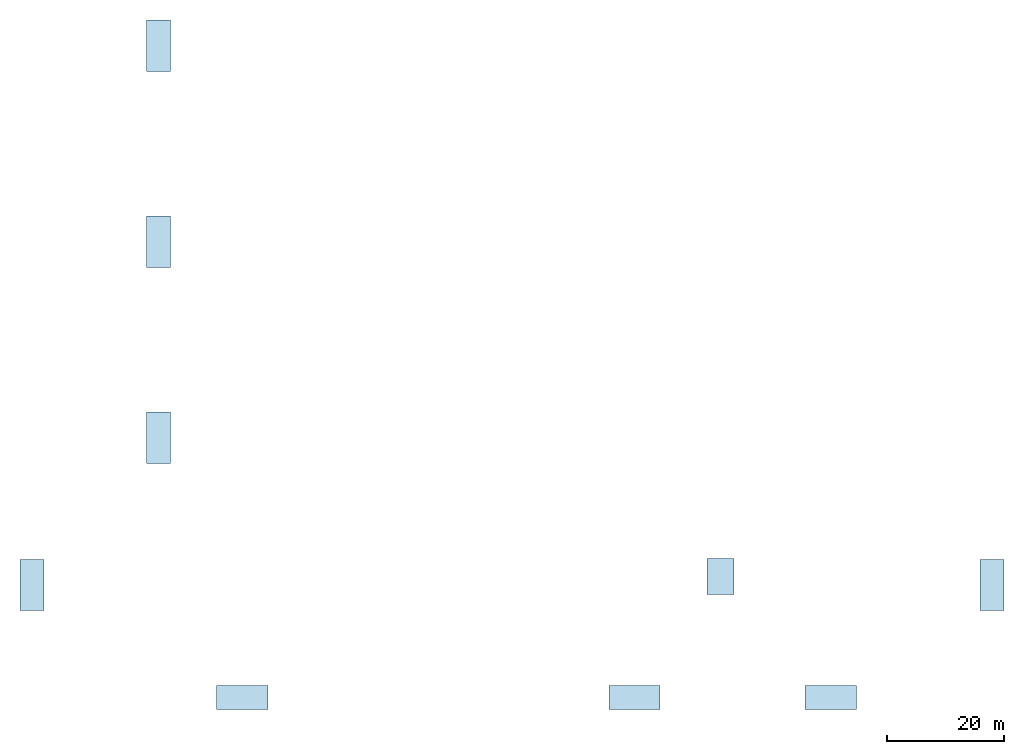
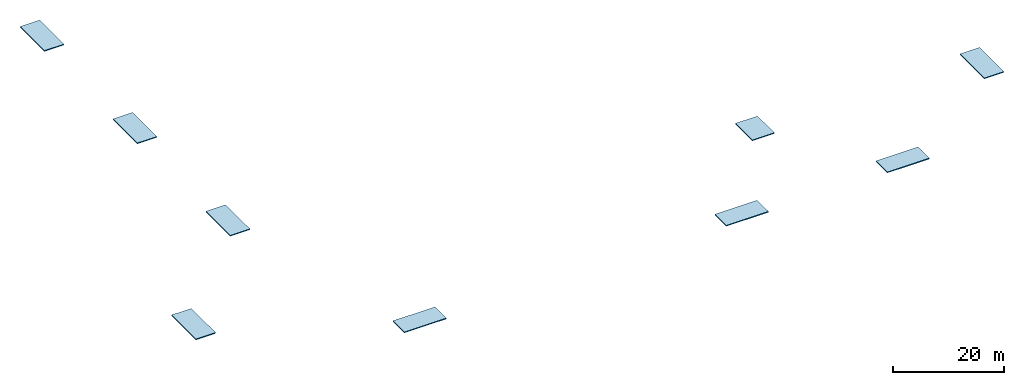
# One storey: 9 slabs.
"""IFC4 building model written with IfcOpenShell, lengths in metres."""

from ifc_helpers import new_model, si_unit, direction, frame, origin, place, context, subcontext, project, spatial, polyline, outline, extrude, material, layer, layer_set, type_object, element, save


model = new_model("IFC4")

# Units and contexts
model_context = context("Model", 3, precision=1e-05, world=origin(), true_north=direction((0.0, 1.0)))
body_context = subcontext(model_context, "Body", "Model", "MODEL_VIEW")
ifc_project = project(units=[si_unit("LENGTHUNIT", "METRE"), si_unit("AREAUNIT", "SQUARE_METRE"), si_unit("VOLUMEUNIT", "CUBIC_METRE"), si_unit("PLANEANGLEUNIT", "RADIAN"), si_unit("MASSUNIT", "GRAM", prefix="KILO")], contexts=[model_context])

# Site, building, storey
site_placement = place(None, origin())
site = spatial("IfcSite", under=ifc_project, at=site_placement, CompositionType="ELEMENT")
building_placement = place(site_placement, origin())
building = spatial("IfcBuilding", under=site, at=building_placement, Name="Yavir Park General Hospital", CompositionType="ELEMENT")
storey_placement = place(building_placement, frame((0.0, 0.0, 32.10009765625)))
storey = spatial("IfcBuildingStorey", under=building, at=storey_placement, Name="ROOF", CompositionType="ELEMENT", Elevation=32.10009765625)

# Slabs
ifc_material = material(Name="Concrete C35/45", Category="concrete")
ifc_layer = layer(ifc_material, 0.199951171875)
ifc_layer_set = layer_set([ifc_layer], Name="Concrete C35/45")
slab_type = type_object("IfcSlabType", Name="RC SLAB ROOF 200", PredefinedType="ROOF", material=ifc_layer_set)
slab_1_placement = place(storey_placement, origin())
element("IfcSlab", 1, at=slab_1_placement, inside=storey, type_object=slab_type, Name="Stair head-house roof SU1", PredefinedType="ROOF", context=body_context, shape_type="SweptSolid", body=[
    extrude(outline(polyline([(-0.300048828125, 16.60009765625), (3.800048828125, 16.60009765625), (3.800048828125, 25.39990234375), (-0.300048828125, 25.39990234375), (-0.300048828125, 16.60009765625)])), origin(), (0.0, 0.0, 1.0), 0.199951171875),
])
slab_2_placement = place(storey_placement, origin())
element("IfcSlab", 2, at=slab_2_placement, inside=storey, type_object=slab_type, Name="Stair head-house roof SU2", PredefinedType="ROOF", context=body_context, shape_type="SweptSolid", body=[
    extrude(outline(polyline([(33.39990234375, -0.300048828125), (42.199951171875, -0.300048828125), (42.199951171875, 3.800048828125), (33.39990234375, 3.800048828125), (33.39990234375, -0.300048828125)])), origin(), (0.0, 0.0, 1.0), 0.199951171875),
])
slab_3_placement = place(storey_placement, origin())
element("IfcSlab", 3, at=slab_3_placement, inside=storey, type_object=slab_type, Name="Stair head-house roof SU4", PredefinedType="ROOF", context=body_context, shape_type="SweptSolid", body=[
    extrude(outline(polyline([(100.60009765625, -0.300048828125), (109.39990234375, -0.300048828125), (109.39990234375, 3.800048828125), (100.60009765625, 3.800048828125), (100.60009765625, -0.300048828125)])), origin(), (0.0, 0.0, 1.0), 0.199951171875),
])
slab_4_placement = place(storey_placement, origin())
element("IfcSlab", 4, at=slab_4_placement, inside=storey, type_object=slab_type, Name="Stair head-house roof SU5", PredefinedType="ROOF", context=body_context, shape_type="SweptSolid", body=[
    extrude(outline(polyline([(134.199951171875, -0.300048828125), (143.0, -0.300048828125), (143.0, 3.800048828125), (134.199951171875, 3.800048828125), (134.199951171875, -0.300048828125)])), origin(), (0.0, 0.0, 1.0), 0.199951171875),
])
slab_5_placement = place(storey_placement, origin())
element("IfcSlab", 5, at=slab_5_placement, inside=storey, type_object=slab_type, Name="Stair head-house roof SU6", PredefinedType="ROOF", context=body_context, shape_type="SweptSolid", body=[
    extrude(outline(polyline([(168.300048828125, 16.60009765625), (168.300048828125, 25.39990234375), (164.199951171875, 25.39990234375), (164.199951171875, 16.60009765625), (168.300048828125, 16.60009765625)])), origin(), (0.0, 0.0, 1.0), 0.199951171875),
])
slab_6_placement = place(storey_placement, origin())
element("IfcSlab", 6, at=slab_6_placement, inside=storey, type_object=slab_type, Name="Stair head-house roof SW1", PredefinedType="ROOF", context=body_context, shape_type="SweptSolid", body=[
    extrude(outline(polyline([(25.5, 41.800048828125), (25.5, 50.60009765625), (21.39990234375, 50.60009765625), (21.39990234375, 41.800048828125), (25.5, 41.800048828125)])), origin(), (0.0, 0.0, 1.0), 0.199951171875),
])
slab_7_placement = place(storey_placement, origin())
element("IfcSlab", 7, at=slab_7_placement, inside=storey, type_object=slab_type, Name="Stair head-house roof SW2", PredefinedType="ROOF", context=body_context, shape_type="SweptSolid", body=[
    extrude(outline(polyline([(25.5, 75.39990234375), (25.5, 84.199951171875), (21.39990234375, 84.199951171875), (21.39990234375, 75.39990234375), (25.5, 75.39990234375)])), origin(), (0.0, 0.0, 1.0), 0.199951171875),
])
slab_8_placement = place(storey_placement, origin())
element("IfcSlab", 8, at=slab_8_placement, inside=storey, type_object=slab_type, Name="Stair head-house roof SW3", PredefinedType="ROOF", context=body_context, shape_type="SweptSolid", body=[
    extrude(outline(polyline([(25.5, 109.0), (25.5, 117.800048828125), (21.39990234375, 117.800048828125), (21.39990234375, 109.0), (25.5, 109.0)])), origin(), (0.0, 0.0, 1.0), 0.199951171875),
])
slab_9_placement = place(storey_placement, frame((0.0, 0.0, 1.0)))
element("IfcSlab", 9, at=slab_9_placement, inside=storey, type_object=slab_type, Name="Lift head roof SL1", PredefinedType="ROOF", context=body_context, shape_type="SweptSolid", body=[
    extrude(outline(polyline([(122.0, 19.39990234375), (122.0, 25.5), (117.39990234375, 25.5), (117.39990234375, 19.39990234375), (122.0, 19.39990234375)])), origin(), (0.0, 0.0, 1.0), 0.199951171875),
])

save(model, "model.ifc")
